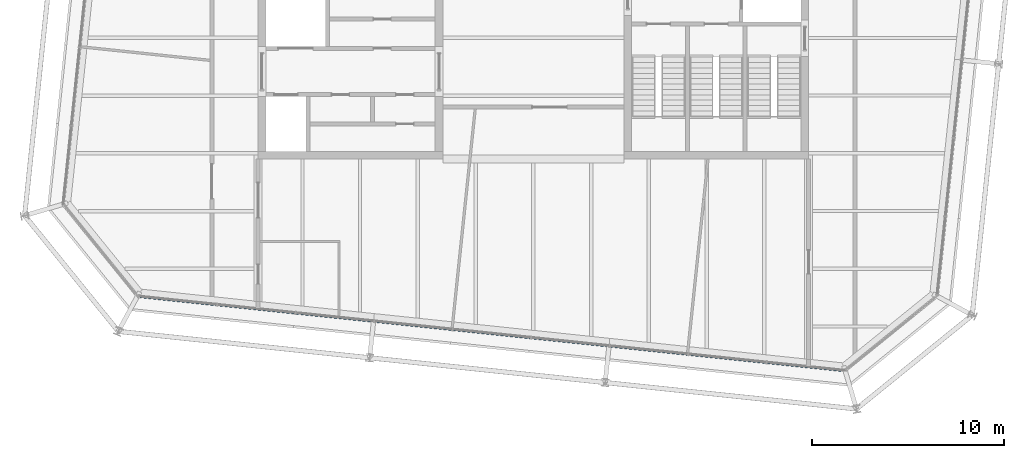
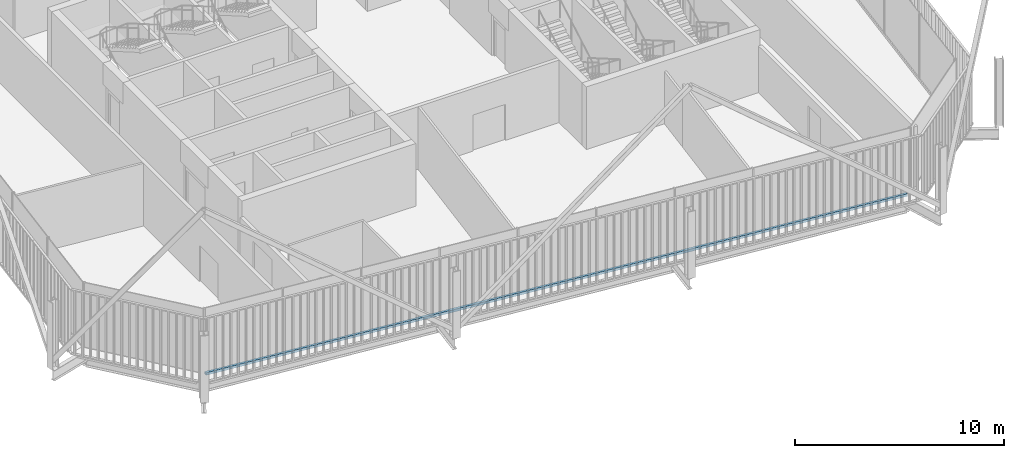
# One storey, part 4 of 21: 1 member, 1 element without a shape of its own.
"""IFC4 building model written with IfcOpenShell, lengths in metres."""

from ifc_helpers import new_model, si_unit, direction, frame, origin, origin_2d, place, context, subcontext, project, spatial, rectangle, extrude, material, layer, layer_set, material_profile, profile_set, type_object, element, aggregate, save


model = new_model("IFC4")

# Units and contexts
model_context = context("Model", 3, precision=1e-05, world=origin(), true_north=direction((0.0, 1.0)))
body_context = subcontext(model_context, "Body", "Model", "MODEL_VIEW")
ifc_project = project(units=[si_unit("LENGTHUNIT", "METRE"), si_unit("AREAUNIT", "SQUARE_METRE"), si_unit("VOLUMEUNIT", "CUBIC_METRE"), si_unit("PLANEANGLEUNIT", "RADIAN"), si_unit("MASSUNIT", "GRAM", prefix="KILO")], contexts=[model_context])

# Site, building, storey
site_placement = place(None, origin())
site = spatial("IfcSite", under=ifc_project, at=site_placement, CompositionType="ELEMENT")
building_placement = place(site_placement, origin())
building = spatial("IfcBuilding", under=site, at=building_placement, Name="Millrace Tower", CompositionType="ELEMENT")
storey_placement = place(building_placement, frame((0.0, 0.0, 307.199951171875)))
storey = spatial("IfcBuildingStorey", under=building, at=storey_placement, Name="L71", CompositionType="ELEMENT", Elevation=307.199951171875)

# Curtain wall, member
ifc_material_1 = material(Name="Aluminium and glass", Category="aluminium")
ifc_layer = layer(ifc_material_1, 0.14990234375)
ifc_layer_set = layer_set([ifc_layer], Name="Aluminium and glass")
curtain_wall_type = type_object("IfcCurtainWallType", Name="CW-1 office vision curtain wall", PredefinedType="NOTDEFINED", material=ifc_layer_set)
curtain_wall_placement = place(storey_placement, origin())
curtain_wall = element("IfcCurtainWall", 1, at=curtain_wall_placement, inside=storey, type_object=curtain_wall_type, Name="Curtain wall E-F02 L71", PredefinedType="NOTDEFINED")
ifc_material_2 = material(Name="Aluminium", Category="aluminium")
ifc_material_profile = material_profile(ifc_material_2, rectangle(XDim=0.14990234375, YDim=0.139892578125, at=origin_2d()))
ifc_profile_set = profile_set([ifc_material_profile], Name="Aluminium")
member_type = type_object("IfcMemberType", Name="CW-1 office vision curtain wall transom", PredefinedType="USERDEFINED", material=ifc_profile_set)
member_placement = place(storey_placement, frame((-20.435302734375, -16.431884765625, 0.070068359375), z_axis=(0.994521952886, -0.104527916025, 0.0), x_axis=(0.104527916025, 0.994521952886, 0.0)))
member = element("IfcMember", 2, at=member_placement, type_object=member_type, Name="CW1 transom E-F02.1", ObjectType="TRANSOM", PredefinedType="USERDEFINED", context=body_context, shape_type="SweptSolid", body=[
    extrude(rectangle(XDim=0.14990234375, YDim=0.139892578125, at=origin_2d()), origin(), (0.0, 0.0, 1.0), 36.699951171875),
])
aggregate(curtain_wall, [member])

save(model, "model.ifc")
